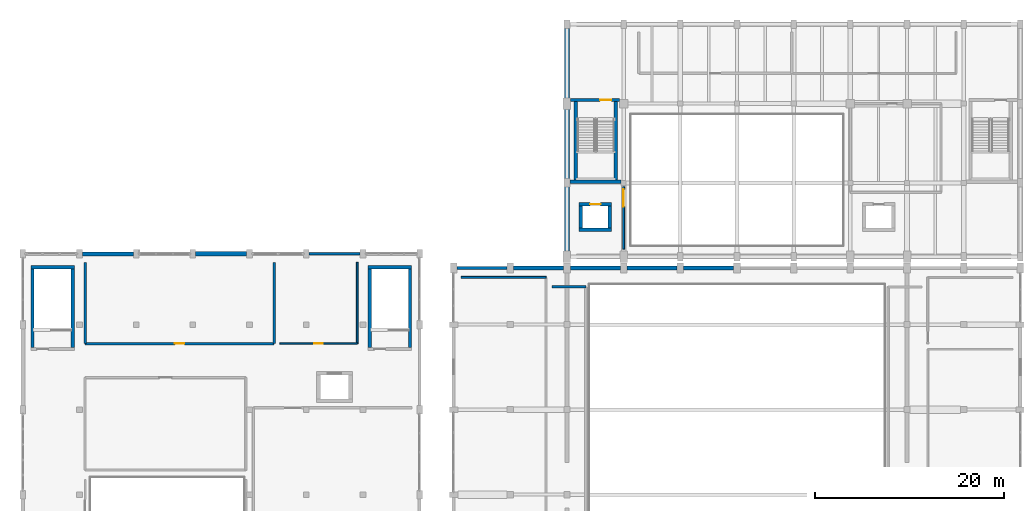
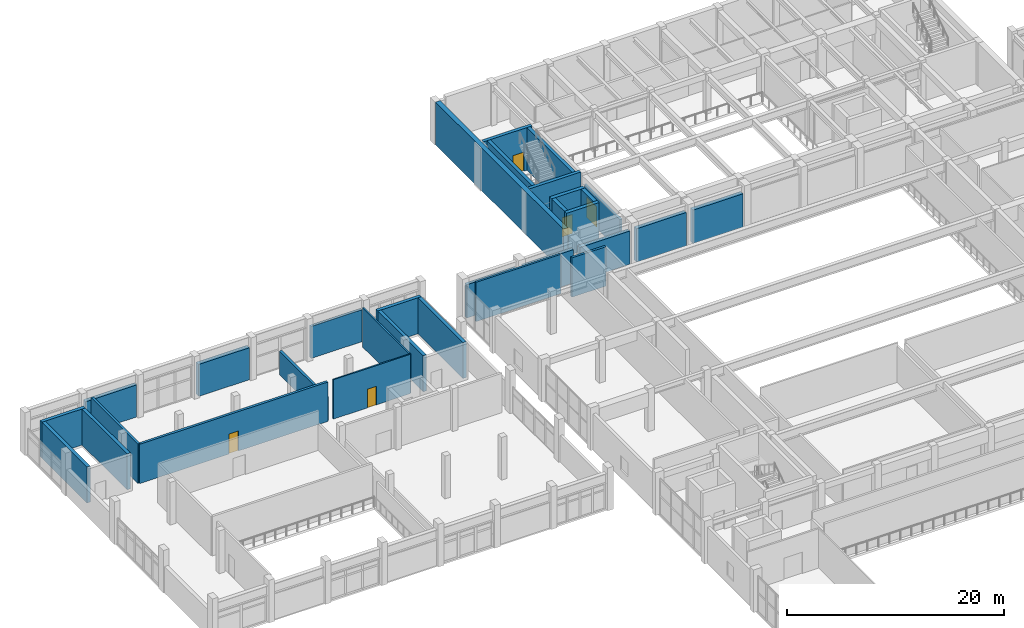
# One storey, part 43 of 62: 31 walls, 5 doors, 5 openings.
"""IFC4 building model written with IfcOpenShell, lengths in metres."""

from ifc_helpers import new_model, si_unit, direction, frame, frame_2d, origin, place, context, subcontext, project, spatial, rectangle, extrude, material, layer, layer_set, type_object, element, fill, save


model = new_model("IFC4")

# Units and contexts
model_context = context("Model", 3, precision=1e-05, world=origin(), true_north=direction((0.0, 1.0)))
body_context = subcontext(model_context, "Body", "Model", "MODEL_VIEW")
ifc_project = project(units=[si_unit("LENGTHUNIT", "METRE"), si_unit("AREAUNIT", "SQUARE_METRE"), si_unit("VOLUMEUNIT", "CUBIC_METRE"), si_unit("PLANEANGLEUNIT", "RADIAN"), si_unit("MASSUNIT", "GRAM", prefix="KILO")], contexts=[model_context])

# Site, building, storey
site_placement = place(None, origin())
site = spatial("IfcSite", under=ifc_project, at=site_placement, CompositionType="ELEMENT")
building_placement = place(site_placement, origin())
building = spatial("IfcBuilding", under=site, at=building_placement, Name="Vaelkrest Opera House", CompositionType="ELEMENT")
storey_placement = place(building_placement, frame((0.0, 0.0, 19.800048828125)))
storey = spatial("IfcBuildingStorey", under=building, at=storey_placement, Name="L04", CompositionType="ELEMENT", Elevation=19.800048828125)

# Walls
ifc_material_1 = material(Name="Douglas fir glulam GL28h", Category="wood")
ifc_layer_1 = layer(ifc_material_1, 0.2548828125)
ifc_layer_set_1 = layer_set([ifc_layer_1], Name="Douglas fir glulam GL28h")
wall_type_1 = type_object("IfcWallType", Name="EW01", PredefinedType="STANDARD", material=ifc_layer_set_1)
wall_1_placement = place(storey_placement, frame((-45.302001953125, 17.699951171875, 0.0), z_axis=(0.0, 0.0, 1.0), x_axis=(1.0, 0.0, 0.0)))
element("IfcWall", 1, at=wall_1_placement, inside=storey, type_object=wall_type_1, Name="Exterior facade wall EW-V3-L04-0201", PredefinedType="STANDARD", context=body_context, shape_type="SweptSolid", body=[
    extrude(rectangle(XDim=5.404052734375, YDim=0.2548828125, at=frame_2d((2.7021484375, 0.0))), origin(), (0.0, 0.0, 1.0), 3.596923828125),
])
ifc_material_2 = material(Name="American black walnut acoustic timber", Category="wood")
ifc_layer_2 = layer(ifc_material_2, 0.360107421875)
ifc_layer_set_2 = layer_set([ifc_layer_2], Name="American black walnut acoustic timber")
wall_type_2 = type_object("IfcWallType", Name="EW06", PredefinedType="STANDARD", material=ifc_layer_set_2)
wall_2_placement = place(storey_placement, frame((-29.652099609375, 16.199951171875, 0.0), z_axis=(0.0, 0.0, 1.0), x_axis=(1.0, 0.0, 0.0)))
element("IfcWall", 2, at=wall_2_placement, inside=storey, type_object=wall_type_2, Name="Exterior facade wall EW-V1-L04-0106", PredefinedType="STANDARD", context=body_context, shape_type="SweptSolid", body=[
    extrude(rectangle(XDim=5.30419921875, YDim=0.360107421875, at=frame_2d((2.652099609375, 0.0))), origin(), (0.0, 0.0, 1.0), 3.744873046875),
])
ifc_material_3 = material(Name="Concrete C40/50", Category="concrete")
ifc_layer_3 = layer(ifc_material_3, 0.385009765625)
ifc_layer_set_3 = layer_set([ifc_layer_3], Name="Concrete C40/50")
wall_type_3 = type_object("IfcWallType", Name="EW07", PredefinedType="STANDARD", material=ifc_layer_set_3)
wall_3_placement = place(storey_placement, frame((-23.652099609375, 16.199951171875, 0.0), z_axis=(0.0, 0.0, 1.0), x_axis=(1.0, 0.0, 0.0)))
element("IfcWall", 3, at=wall_3_placement, inside=storey, type_object=wall_type_3, Name="Exterior facade wall EW-V1-L04-0107", PredefinedType="STANDARD", context=body_context, shape_type="SweptSolid", body=[
    extrude(rectangle(XDim=5.30419921875, YDim=0.385009765625, at=frame_2d((2.652099609375, 0.0))), origin(), (0.0, 0.0, 1.0), 3.744873046875),
])
ifc_layer_4 = layer(ifc_material_3, 0.409912109375)
ifc_layer_set_4 = layer_set([ifc_layer_4], Name="Concrete C40/50")
wall_type_4 = type_object("IfcWallType", Name="EW08", PredefinedType="STANDARD", material=ifc_layer_set_4)
wall_4_placement = place(storey_placement, frame((-17.652099609375, 16.199951171875, 0.0), z_axis=(0.0, 0.0, 1.0), x_axis=(1.0, 0.0, 0.0)))
element("IfcWall", 4, at=wall_4_placement, inside=storey, type_object=wall_type_4, Name="Exterior facade wall EW-V1-L04-0108", PredefinedType="STANDARD", context=body_context, shape_type="SweptSolid", body=[
    extrude(rectangle(XDim=5.30419921875, YDim=0.409912109375, at=frame_2d((2.652099609375, 0.0))), origin(), (0.0, 0.0, 1.0), 3.744873046875),
])
ifc_layer_5 = layer(ifc_material_3, 0.43505859375)
ifc_layer_set_5 = layer_set([ifc_layer_5], Name="Concrete C40/50")
wall_type_5 = type_object("IfcWallType", Name="EW09", PredefinedType="STANDARD", material=ifc_layer_set_5)
wall_5_placement = place(storey_placement, frame((-11.652099609375, 16.199951171875, 0.0), z_axis=(0.0, 0.0, 1.0), x_axis=(1.0, 0.0, 0.0)))
element("IfcWall", 5, at=wall_5_placement, inside=storey, type_object=wall_type_5, Name="Exterior facade wall EW-V1-L04-0109", PredefinedType="STANDARD", context=body_context, shape_type="SweptSolid", body=[
    extrude(rectangle(XDim=5.30419921875, YDim=0.43505859375, at=frame_2d((2.652099609375, 0.0))), origin(), (0.0, 0.0, 1.0), 3.744873046875),
])
wall_6_placement = place(storey_placement, frame((-69.302001953125, 17.699951171875, 0.0), z_axis=(0.0, 0.0, 1.0), x_axis=(1.0, 0.0, 0.0)))
element("IfcWall", 6, at=wall_6_placement, inside=storey, type_object=wall_type_5, Name="Exterior facade wall EW-V3-L04-0199", PredefinedType="STANDARD", context=body_context, shape_type="SweptSolid", body=[
    extrude(rectangle(XDim=5.404052734375, YDim=0.43505859375, at=frame_2d((2.7021484375, 0.0))), origin(), (0.0, 0.0, 1.0), 3.596923828125),
])
ifc_layer_6 = layer(ifc_material_3, 0.465087890625)
ifc_layer_set_6 = layer_set([ifc_layer_6], Name="Concrete C40/50")
wall_type_6 = type_object("IfcWallType", Name="EW10", PredefinedType="STANDARD", material=ifc_layer_set_6)
wall_7_placement = place(storey_placement, frame((-5.652099609375, 16.199951171875, 0.0), z_axis=(0.0, 0.0, 1.0), x_axis=(1.0, 0.0, 0.0)))
element("IfcWall", 7, at=wall_7_placement, inside=storey, type_object=wall_type_6, Name="Exterior facade wall EW-V1-L04-0110", PredefinedType="STANDARD", context=body_context, shape_type="SweptSolid", body=[
    extrude(rectangle(XDim=5.30419921875, YDim=0.465087890625, at=frame_2d((2.652099609375, 0.0))), origin(), (0.0, 0.0, 1.0), 3.744873046875),
])
wall_8_placement = place(storey_placement, frame((-57.302001953125, 17.699951171875, 0.0), z_axis=(0.0, 0.0, 1.0), x_axis=(1.0, 0.0, 0.0)))
element("IfcWall", 8, at=wall_8_placement, inside=storey, type_object=wall_type_6, Name="Exterior facade wall EW-V3-L04-0200", PredefinedType="STANDARD", context=body_context, shape_type="SweptSolid", body=[
    extrude(rectangle(XDim=5.404052734375, YDim=0.465087890625, at=frame_2d((2.7021484375, 0.0))), origin(), (0.0, 0.0, 1.0), 3.596923828125),
])

# Wall, opening, door
ifc_material_4 = material(Name="Gypsum acoustic board", Category="gypsum")
ifc_layer_7 = layer(ifc_material_4, 0.14990234375)
ifc_layer_set_7 = layer_set([ifc_layer_7], Name="Gypsum acoustic board")
wall_type_7 = type_object("IfcWallType", Name="PT03", PredefinedType="PARTITIONING", material=ifc_layer_set_7)
wall_9_placement = place(storey_placement, frame((-48.39990234375, 8.199951171875, 0.0), z_axis=(0.0, 0.0, 1.0), x_axis=(1.0, 0.0, 0.0)))
wall_9 = element("IfcWall", 9, at=wall_9_placement, inside=storey, type_object=wall_type_7, Name="Interior partition PT-V3-L04-0325", PredefinedType="PARTITIONING", context=body_context, shape_type="SweptSolid", body=[
    extrude(rectangle(XDim=8.199951171875, YDim=0.14990234375, at=frame_2d((4.10009765625, 0.0))), origin(), (0.0, 0.0, 1.0), 4.419921875),
])
opening_1_placement = place(wall_9_placement, frame((3.6298828125, 0.0, 0.0)))
opening_1 = element("IfcOpeningElement", 10, at=opening_1_placement, cuts=wall_9, Name="Opening D130", PredefinedType="OPENING", context=body_context, shape_type="SweptSolid", body=[
    extrude(rectangle(XDim=0.93994140625, YDim=2.10009765625, at=frame_2d((0.469970703125, 1.050048828125))), frame((0.0, 0.0849609375, 0.0), z_axis=(0.0, -1.0, 0.0), x_axis=(1.0, 0.0, 0.0)), (0.0, 0.0, 1.0), 0.169921875),
])
door_type_1 = type_object("IfcDoorType", Name="DT02", OperationType="NOTDEFINED", PredefinedType="DOOR", material=ifc_material_2)
door_1_placement = place(opening_1_placement, origin())
door_1 = element("IfcDoor", 11, at=door_1_placement, inside=storey, type_object=door_type_1, Name="Interior door D130 (Accessible Washroom)", OperationType="SINGLE_SWING_LEFT", OverallHeight=2.10009765625, OverallWidth=0.93994140625, PredefinedType="DOOR", context=body_context, shape_type="SweptSolid", body=[
    extrude(rectangle(XDim=0.93994140625, YDim=2.10009765625, at=frame_2d((0.469970703125, 1.050048828125))), frame((0.0, 0.02490234375, 0.0), z_axis=(0.0, -1.0, 0.0), x_axis=(1.0, 0.0, 0.0)), (0.0, 0.0, 1.0), 0.050048828125),
])
fill(opening_1, door_1)

# Walls
ifc_layer_8 = layer(ifc_material_4, 0.1650390625)
ifc_layer_set_8 = layer_set([ifc_layer_8], Name="Gypsum acoustic board")
wall_type_8 = type_object("IfcWallType", Name="PT04", PredefinedType="PARTITIONING", material=ifc_layer_set_8)
wall_10_placement = place(storey_placement, frame((-40.199951171875, 8.199951171875, 0.0), z_axis=(0.0, 0.0, 1.0), x_axis=(0.0, 1.0, 0.0)))
element("IfcWall", 12, at=wall_10_placement, inside=storey, type_object=wall_type_8, Name="Interior partition PT-V3-L04-0326", PredefinedType="PARTITIONING", context=body_context, shape_type="SweptSolid", body=[
    extrude(rectangle(XDim=8.60009765625, YDim=0.1650390625, at=frame_2d((4.300048828125, 0.0))), origin(), (0.0, 0.0, 1.0), 4.419921875),
])
ifc_layer_9 = layer(ifc_material_2, 0.2099609375)
ifc_layer_set_9 = layer_set([ifc_layer_9], Name="American black walnut acoustic timber")
wall_type_9 = type_object("IfcWallType", Name="PT07", PredefinedType="PARTITIONING", material=ifc_layer_set_9)
wall_11_placement = place(storey_placement, frame((-29.199951171875, 15.199951171875, 0.0), z_axis=(0.0, 0.0, 1.0), x_axis=(1.0, 0.0, 0.0)))
element("IfcWall", 13, at=wall_11_placement, inside=storey, type_object=wall_type_9, Name="Interior partition PT-V1-L04-0111", PredefinedType="PARTITIONING", context=body_context, shape_type="SweptSolid", body=[
    extrude(rectangle(XDim=9.0, YDim=0.2099609375, at=frame_2d((4.5, 0.0))), origin(), (0.0, 0.0, 1.0), 4.419921875),
])

# Wall, opening, door
wall_12_placement = place(storey_placement, frame((-12.0, 18.199951171875, 0.0), z_axis=(0.0, 0.0, 1.0), x_axis=(0.0, 1.0, 0.0)))
wall_12 = element("IfcWall", 14, at=wall_12_placement, inside=storey, type_object=wall_type_9, Name="Interior partition PT-V2-L04-0215", PredefinedType="PARTITIONING", context=body_context, shape_type="SweptSolid", body=[
    extrude(rectangle(XDim=6.60009765625, YDim=0.2099609375, at=frame_2d((3.300048828125, 0.0))), origin(), (0.0, 0.0, 1.0), 3.58984375),
])
opening_2_placement = place(wall_12_placement, frame((4.5, 0.0, 0.0)))
opening_2 = element("IfcOpeningElement", 15, at=opening_2_placement, cuts=wall_12, Name="Opening D083", PredefinedType="OPENING", context=body_context, shape_type="SweptSolid", body=[
    extrude(rectangle(XDim=1.85009765625, YDim=2.300048828125, at=frame_2d((0.925048828125, 1.14990234375))), frame((0.0, 0.114990234375, 0.0), z_axis=(0.0, -1.0, 0.0), x_axis=(1.0, 0.0, 0.0)), (0.0, 0.0, 1.0), 0.22998046875),
])
door_type_2 = type_object("IfcDoorType", Name="DT15", OperationType="DOUBLE_DOOR_SINGLE_SWING", PredefinedType="DOOR", material=ifc_material_2)
door_2_placement = place(opening_2_placement, origin())
door_2 = element("IfcDoor", 16, at=door_2_placement, inside=storey, type_object=door_type_2, Name="Interior door D083 (Fly Gallery)", OperationType="DOUBLE_DOOR_SINGLE_SWING", OverallHeight=2.300048828125, OverallWidth=1.85009765625, PredefinedType="DOOR", context=body_context, shape_type="SweptSolid", body=[
    extrude(rectangle(XDim=1.85009765625, YDim=2.300048828125, at=frame_2d((0.925048828125, 1.14990234375))), frame((0.0, 0.02490234375, 0.0), z_axis=(0.0, -1.0, 0.0), x_axis=(1.0, 0.0, 0.0)), (0.0, 0.0, 1.0), 0.050048828125),
])
fill(opening_2, door_2)

# Walls
ifc_layer_10 = layer(ifc_material_3, 0.239990234375)
ifc_layer_set_10 = layer_set([ifc_layer_10], Name="Concrete C40/50")
wall_type_10 = type_object("IfcWallType", Name="PT09", PredefinedType="PARTITIONING", material=ifc_layer_set_10)
wall_13_placement = place(storey_placement, frame((-19.60009765625, 14.199951171875, 0.0), z_axis=(0.0, 0.0, 1.0), x_axis=(1.0, 0.0, 0.0)))
element("IfcWall", 17, at=wall_13_placement, inside=storey, type_object=wall_type_10, Name="Interior partition PT-V1-L04-0119", PredefinedType="PARTITIONING", context=body_context, shape_type="SweptSolid", body=[
    extrude(rectangle(XDim=3.60009765625, YDim=0.239990234375, at=frame_2d((1.800048828125, 0.0))), origin(), (0.0, 0.0, 1.0), 4.419921875),
])
wall_14_placement = place(storey_placement, frame((-69.0, 8.199951171875, 0.0), z_axis=(0.0, 0.0, 1.0), x_axis=(0.0, 1.0, 0.0)))
element("IfcWall", 18, at=wall_14_placement, inside=storey, type_object=wall_type_10, Name="Interior partition PT-V3-L04-0323", PredefinedType="PARTITIONING", context=body_context, shape_type="SweptSolid", body=[
    extrude(rectangle(XDim=8.60009765625, YDim=0.239990234375, at=frame_2d((4.300048828125, 0.0))), origin(), (0.0, 0.0, 1.0), 4.419921875),
])

# Wall, opening, door
ifc_layer_11 = layer(ifc_material_3, 0.260009765625)
ifc_layer_set_11 = layer_set([ifc_layer_11], Name="Concrete C40/50")
wall_type_11 = type_object("IfcWallType", Name="PT10", PredefinedType="PARTITIONING", material=ifc_layer_set_11)
wall_15_placement = place(storey_placement, frame((-69.0, 8.199951171875, 0.0), z_axis=(0.0, 0.0, 1.0), x_axis=(1.0, 0.0, 0.0)))
wall_15 = element("IfcWall", 19, at=wall_15_placement, inside=storey, type_object=wall_type_11, Name="Interior partition PT-V3-L04-0322", PredefinedType="PARTITIONING", context=body_context, shape_type="SweptSolid", body=[
    extrude(rectangle(XDim=20.0, YDim=0.260009765625, at=frame_2d((10.0, 0.0))), origin(), (0.0, 0.0, 1.0), 4.419921875),
])
opening_3_placement = place(wall_15_placement, frame((9.5, 0.0, 0.0)))
opening_3 = element("IfcOpeningElement", 20, at=opening_3_placement, cuts=wall_15, Name="Opening D129", PredefinedType="OPENING", context=body_context, shape_type="SweptSolid", body=[
    extrude(rectangle(XDim=1.0, YDim=2.25, at=frame_2d((0.5, 1.125))), frame((0.0, 0.139892578125, 0.0), z_axis=(0.0, -1.0, 0.0), x_axis=(1.0, 0.0, 0.0)), (0.0, 0.0, 1.0), 0.280029296875),
])
door_type_3 = type_object("IfcDoorType", Name="DT10", OperationType="NOTDEFINED", PredefinedType="DOOR", material=ifc_material_2)
door_3_placement = place(opening_3_placement, origin())
door_3 = element("IfcDoor", 21, at=door_3_placement, inside=storey, type_object=door_type_3, Name="Interior door D129 (HVAC Plant Room)", OperationType="SINGLE_SWING_RIGHT", OverallHeight=2.25, OverallWidth=1.0, PredefinedType="DOOR", context=body_context, shape_type="SweptSolid", body=[
    extrude(rectangle(XDim=1.0, YDim=2.25, at=frame_2d((0.5, 1.125))), frame((0.0, 0.02490234375, 0.0), z_axis=(0.0, -1.0, 0.0), x_axis=(1.0, 0.0, 0.0)), (0.0, 0.0, 1.0), 0.050048828125),
])
fill(opening_3, door_3)

# Walls
wall_16_placement = place(storey_placement, frame((-49.0, 8.199951171875, 0.0), z_axis=(0.0, 0.0, 1.0), x_axis=(0.0, 1.0, 0.0)))
element("IfcWall", 22, at=wall_16_placement, inside=storey, type_object=wall_type_11, Name="Interior partition PT-V3-L04-0324", PredefinedType="PARTITIONING", context=body_context, shape_type="SweptSolid", body=[
    extrude(rectangle(XDim=8.60009765625, YDim=0.260009765625, at=frame_2d((4.300048828125, 0.0))), origin(), (0.0, 0.0, 1.0), 2.662841796875),
])
ifc_material_5 = material(Name="Concrete C50/60", Category="concrete")
ifc_layer_12 = layer(ifc_material_5, 0.35009765625)
ifc_layer_set_12 = layer_set([ifc_layer_12], Name="Concrete C50/60")
wall_type_12 = type_object("IfcWallType", Name="SW01", PredefinedType="SHEAR", material=ifc_layer_set_12)
wall_17_placement = place(storey_placement, frame((-12.27490234375, 25.324951171875, 0.0), z_axis=(0.0, 0.0, 1.0), x_axis=(-1.0, 0.0, 0.0)))
element("IfcWall", 23, at=wall_17_placement, inside=storey, type_object=wall_type_12, Name="Stair core ST05 wall L04 S", PredefinedType="SHEAR", context=body_context, shape_type="SweptSolid", body=[
    extrude(rectangle(XDim=5.425048828125, YDim=0.35009765625, at=frame_2d((2.71240234375, 0.0))), origin(), (0.0, 0.0, 1.0), 4.800048828125),
])
wall_18_placement = place(storey_placement, frame((-17.074951171875, 25.5, 0.0), z_axis=(0.0, 0.0, 1.0), x_axis=(0.0, 1.0, 0.0)))
element("IfcWall", 24, at=wall_18_placement, inside=storey, type_object=wall_type_12, Name="Stair core ST05 wall L04 W", PredefinedType="SHEAR", context=body_context, shape_type="SweptSolid", body=[
    extrude(rectangle(XDim=8.300048828125, YDim=0.35009765625, at=frame_2d((4.14990234375, 0.0))), origin(), (0.0, 0.0, 1.0), 4.800048828125),
])

# Wall, opening, door
wall_19_placement = place(storey_placement, frame((-17.60009765625, 33.97509765625, 0.0), z_axis=(0.0, 0.0, 1.0), x_axis=(1.0, 0.0, 0.0)))
wall_19 = element("IfcWall", 25, at=wall_19_placement, inside=storey, type_object=wall_type_12, Name="Stair core ST05 wall L04 N", PredefinedType="SHEAR", context=body_context, shape_type="SweptSolid", body=[
    extrude(rectangle(XDim=5.150146484375, YDim=0.35009765625, at=frame_2d((2.5751953125, 0.0))), origin(), (0.0, 0.0, 1.0), 4.800048828125),
])
opening_4_placement = place(wall_19_placement, frame((3.1201171875, 0.0, 0.0)))
opening_4 = element("IfcOpeningElement", 26, at=opening_4_placement, cuts=wall_19, Name="Opening SD-ST05-L04", PredefinedType="OPENING", context=body_context, shape_type="SweptSolid", body=[
    extrude(rectangle(XDim=1.179931640625, YDim=2.14990234375, at=frame_2d((0.58984375, 1.074951171875))), frame((0.0, 0.18505859375, 0.0), z_axis=(0.0, -1.0, 0.0), x_axis=(1.0, 0.0, 0.0)), (0.0, 0.0, 1.0), 0.3701171875),
])
door_type_4 = type_object("IfcDoorType", Name="DT07", OperationType="NOTDEFINED", PredefinedType="DOOR", material=ifc_material_2)
door_4_placement = place(opening_4_placement, origin())
door_4 = element("IfcDoor", 27, at=door_4_placement, inside=storey, type_object=door_type_4, Name="Protected stair door SD-ST05-L04", OperationType="SINGLE_SWING_LEFT", OverallHeight=2.14990234375, OverallWidth=1.179931640625, PredefinedType="DOOR", context=body_context, shape_type="SweptSolid", body=[
    extrude(rectangle(XDim=1.179931640625, YDim=2.14990234375, at=frame_2d((0.58984375, 1.074951171875))), frame((0.0, 0.02490234375, 0.0), z_axis=(0.0, -1.0, 0.0), x_axis=(1.0, 0.0, 0.0)), (0.0, 0.0, 1.0), 0.050048828125),
])
fill(opening_4, door_4)

# Walls
wall_20_placement = place(storey_placement, frame((-12.824951171875, 33.800048828125, 0.0), z_axis=(0.0, 0.0, 1.0), x_axis=(0.0, -1.0, 0.0)))
element("IfcWall", 28, at=wall_20_placement, inside=storey, type_object=wall_type_12, Name="Stair core ST05 wall L04 E", PredefinedType="SHEAR", context=body_context, shape_type="SweptSolid", body=[
    extrude(rectangle(XDim=8.300048828125, YDim=0.35009765625, at=frame_2d((4.14990234375, 0.0))), origin(), (0.0, 0.0, 1.0), 4.800048828125),
])
wall_21_placement = place(storey_placement, frame((-74.574951171875, 7.800048828125, 0.0), z_axis=(0.0, 0.0, 1.0), x_axis=(0.0, 1.0, 0.0)))
element("IfcWall", 29, at=wall_21_placement, inside=storey, type_object=wall_type_12, Name="Stair core ST07 wall L04 W", PredefinedType="SHEAR", context=body_context, shape_type="SweptSolid", body=[
    extrude(rectangle(XDim=8.300048828125, YDim=0.35009765625, at=frame_2d((4.14990234375, 0.0))), origin(), (0.0, 0.0, 1.0), 4.044921875),
])
wall_22_placement = place(storey_placement, frame((-74.75, 16.27490234375, 0.0), z_axis=(0.0, 0.0, 1.0), x_axis=(1.0, 0.0, 0.0)))
element("IfcWall", 30, at=wall_22_placement, inside=storey, type_object=wall_type_12, Name="Stair core ST07 wall L04 N", PredefinedType="SHEAR", context=body_context, shape_type="SweptSolid", body=[
    extrude(rectangle(XDim=4.60009765625, YDim=0.35009765625, at=frame_2d((2.300048828125, 0.0))), origin(), (0.0, 0.0, 1.0), 4.044921875),
])
for number, where, z_axis, x_axis, name in (
    (31, (-70.324951171875, 16.10009765625, 0.0), (0.0, 0.0, 1.0), (0.0, -1.0, 0.0), "Stair core ST07 wall L04 E"),
    (32, (-38.875, 7.800048828125, 0.0), (0.0, 0.0, 1.0), (0.0, 1.0, 0.0), "Stair core ST08 wall L04 W"),
):
    element("IfcWall", number, at=place(storey_placement, frame(where, z_axis=z_axis, x_axis=x_axis)), inside=storey, type_object=wall_type_12, Name=name, PredefinedType="SHEAR", context=body_context, shape_type="SweptSolid", body=[
        extrude(rectangle(XDim=8.300048828125, YDim=0.35009765625, at=frame_2d((4.14990234375, 0.0))), origin(), (0.0, 0.0, 1.0), 4.044921875),
    ])
wall_23_placement = place(storey_placement, frame((-39.050048828125, 16.27490234375, 0.0), z_axis=(0.0, 0.0, 1.0), x_axis=(1.0, 0.0, 0.0)))
element("IfcWall", 33, at=wall_23_placement, inside=storey, type_object=wall_type_12, Name="Stair core ST08 wall L04 N", PredefinedType="SHEAR", context=body_context, shape_type="SweptSolid", body=[
    extrude(rectangle(XDim=4.60009765625, YDim=0.35009765625, at=frame_2d((2.300048828125, 0.0))), origin(), (0.0, 0.0, 1.0), 4.044921875),
])
wall_24_placement = place(storey_placement, frame((-34.625, 16.10009765625, 0.0), z_axis=(0.0, 0.0, 1.0), x_axis=(0.0, -1.0, 0.0)))
element("IfcWall", 34, at=wall_24_placement, inside=storey, type_object=wall_type_12, Name="Stair core ST08 wall L04 E", PredefinedType="SHEAR", context=body_context, shape_type="SweptSolid", body=[
    extrude(rectangle(XDim=8.300048828125, YDim=0.35009765625, at=frame_2d((4.14990234375, 0.0))), origin(), (0.0, 0.0, 1.0), 4.044921875),
])
ifc_layer_13 = layer(ifc_material_5, 0.389892578125)
ifc_layer_set_13 = layer_set([ifc_layer_13], Name="Concrete C50/60")
wall_type_13 = type_object("IfcWallType", Name="SW02", PredefinedType="SHEAR", material=ifc_layer_set_13)
wall_25_placement = place(storey_placement, frame((-13.260009765625, 20.2548828125, 0.0), z_axis=(0.0, 0.0, 1.0), x_axis=(-1.0, 0.0, 0.0)))
element("IfcWall", 35, at=wall_25_placement, inside=storey, type_object=wall_type_13, Name="Lift shaft LF01 wall L04 S", PredefinedType="SHEAR", context=body_context, shape_type="SweptSolid", body=[
    extrude(rectangle(XDim=3.47998046875, YDim=0.389892578125, at=frame_2d((1.739990234375, 0.0))), origin(), (0.0, 0.0, 1.0), 4.800048828125),
])

# Wall, opening, door
wall_26_placement = place(storey_placement, frame((-16.739990234375, 22.945068359375, 0.0), z_axis=(0.0, 0.0, 1.0), x_axis=(1.0, 0.0, 0.0)))
wall_26 = element("IfcWall", 36, at=wall_26_placement, inside=storey, type_object=wall_type_13, Name="Lift shaft LF01 wall L04 N", PredefinedType="SHEAR", context=body_context, shape_type="SweptSolid", body=[
    extrude(rectangle(XDim=3.47998046875, YDim=0.389892578125, at=frame_2d((1.739990234375, 0.0))), origin(), (0.0, 0.0, 1.0), 4.800048828125),
])
opening_5_placement = place(wall_26_placement, frame((1.18994140625, 0.0, 0.0)))
opening_5 = element("IfcOpeningElement", 37, at=opening_5_placement, cuts=wall_26, Name="Opening LD-LF01-L04", PredefinedType="OPENING", context=body_context, shape_type="SweptSolid", body=[
    extrude(rectangle(XDim=1.10009765625, YDim=2.14990234375, at=frame_2d((0.550048828125, 1.074951171875))), frame((0.0, 0.204833984375, 0.0), z_axis=(0.0, -1.0, 0.0), x_axis=(1.0, 0.0, 0.0)), (0.0, 0.0, 1.0), 0.409912109375),
])
ifc_material_6 = material(Name="Dark bronze anodized aluminium", Category="aluminium")
door_type_5 = type_object("IfcDoorType", Name="LDT01", OperationType="SLIDING_TO_LEFT", PredefinedType="DOOR", material=ifc_material_6)
door_5_placement = place(opening_5_placement, origin())
door_5 = element("IfcDoor", 38, at=door_5_placement, inside=storey, type_object=door_type_5, Name="Lift landing sliding door LD-LF01-L04", OperationType="SLIDING_TO_LEFT", OverallHeight=2.14990234375, OverallWidth=1.10009765625, PredefinedType="DOOR", context=body_context, shape_type="SweptSolid", body=[
    extrude(rectangle(XDim=1.10009765625, YDim=2.14990234375, at=frame_2d((0.550048828125, 1.074951171875))), frame((0.0, 0.02490234375, 0.0), z_axis=(0.0, -1.0, 0.0), x_axis=(1.0, 0.0, 0.0)), (0.0, 0.0, 1.0), 0.050048828125),
])
fill(opening_5, door_5)

# Walls
for number, where, z_axis, x_axis, name in (
    (39, (-16.544921875, 20.449951171875, 0.0), (0.0, 0.0, 1.0), (0.0, 1.0, 0.0), "Lift shaft LF01 wall L04 W"),
    (40, (-13.455078125, 22.75, 0.0), (0.0, 0.0, 1.0), (0.0, -1.0, 0.0), "Lift shaft LF01 wall L04 E"),
):
    element("IfcWall", number, at=place(storey_placement, frame(where, z_axis=z_axis, x_axis=x_axis)), inside=storey, type_object=wall_type_13, Name=name, PredefinedType="SHEAR", context=body_context, shape_type="SweptSolid", body=[
        extrude(rectangle(XDim=2.300048828125, YDim=0.389892578125, at=frame_2d((1.14990234375, 0.0))), origin(), (0.0, 0.0, 1.0), 4.800048828125),
    ])
ifc_layer_14 = layer(ifc_material_5, 0.5)
ifc_layer_set_14 = layer_set([ifc_layer_14], Name="Concrete C50/60")
wall_type_14 = type_object("IfcWallType", Name="SW05", PredefinedType="SHEAR", material=ifc_layer_set_14)
wall_27_placement = place(storey_placement, frame((-18.0, 18.0, 0.0), z_axis=(0.0, 0.0, 1.0), x_axis=(0.0, 1.0, 0.0)))
element("IfcWall", 41, at=wall_27_placement, inside=storey, type_object=wall_type_14, Name="Fly tower west shear wall L04", PredefinedType="SHEAR", context=body_context, shape_type="SweptSolid", body=[
    extrude(rectangle(XDim=23.550048828125, YDim=0.5, at=frame_2d((11.77490234375, 0.0))), origin(), (0.0, 0.0, 1.0), 4.800048828125),
])

save(model, "model.ifc")
